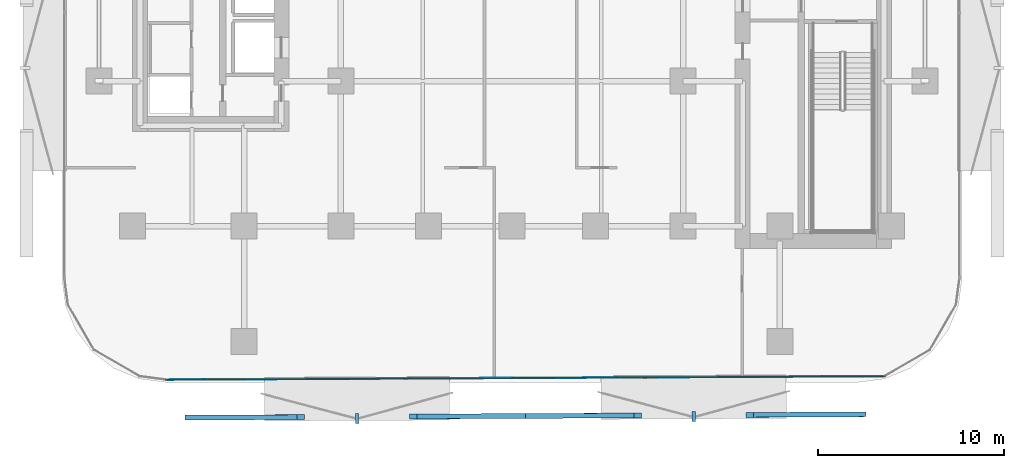
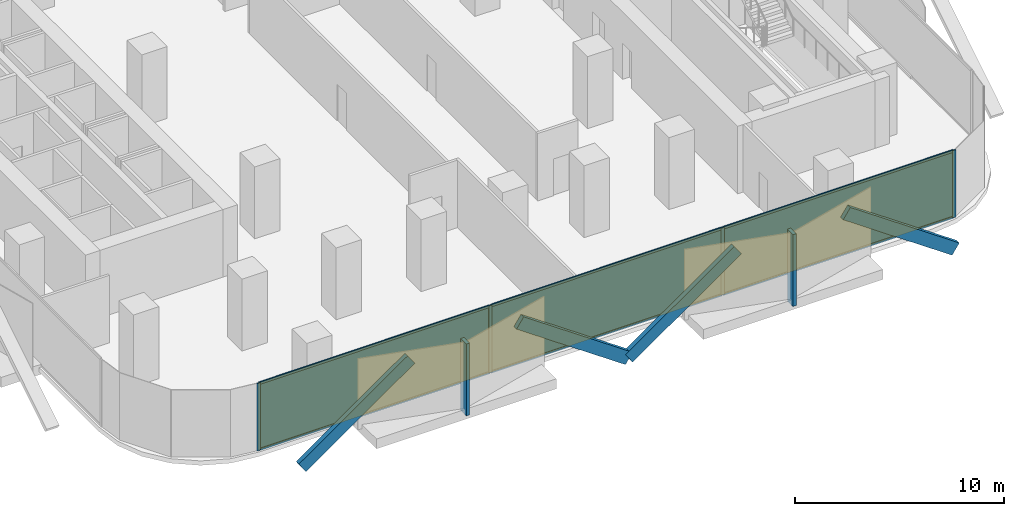
# One storey, part 6 of 14: 16 members, 3 plates, 1 curtain wall.
"""IFC4 building model written with IfcOpenShell, lengths in metres."""

from ifc_helpers import new_model, si_unit, direction, frame, frame_2d, origin, origin_2d, place, context, subcontext, project, spatial, rectangle, extrude, material, layer, layer_set, material_profile, profile_set, type_object, element, aggregate, save


model = new_model("IFC4")

# Units and contexts
model_context = context("Model", 3, precision=1e-05, world=origin(), true_north=direction((0.0, 1.0)))
body_context = subcontext(model_context, "Body", "Model", "MODEL_VIEW")
ifc_project = project(units=[si_unit("LENGTHUNIT", "METRE"), si_unit("AREAUNIT", "SQUARE_METRE"), si_unit("VOLUMEUNIT", "CUBIC_METRE"), si_unit("PLANEANGLEUNIT", "RADIAN"), si_unit("MASSUNIT", "GRAM", prefix="KILO")], contexts=[model_context])

# Member
ifc_material_1 = material(Name="Anodised Bronze Aluminium 6063-T6", Category="aluminium")
ifc_material_profile_1 = material_profile(ifc_material_1, rectangle(XDim=0.260009765625, YDim=0.699951171875, at=origin_2d()))
ifc_profile_set_1 = profile_set([ifc_material_profile_1], Name="Anodised Bronze Aluminium 6063-T6")
member_type_1 = type_object("IfcMemberType", Name="Bronze Diamond Solar-Screen Lattice Rib BDL-700", PredefinedType="MULLION", material=ifc_profile_set_1)
site_placement = place(None, origin())
building_placement = place(site_placement, origin())
storey_placement = place(building_placement, frame((0.0, 0.0, 63.800048828125)))
member_1_placement = place(storey_placement, frame((18.82275390625, -28.718505859375, -0.130126953125), z_axis=(-0.820728082462, -0.003984922917, 0.571305115544), x_axis=(-0.007647115257, 0.999962716599, -0.004010865356)))
member_1 = element("IfcMember", 1, at=member_1_placement, type_object=member_type_1, Name="L15 Bronze Diamond Solar Screen Lattice Rib 73A", PredefinedType="MULLION", context=body_context, shape_type="SweptSolid", body=[
    extrude(rectangle(XDim=0.260009765625, YDim=0.699951171875, at=origin_2d()), origin(), (0.0, 0.0, 1.0), 7.35205078125),
])

member_2_placement = place(storey_placement, frame((0.720947265625, -28.806396484375, -0.130126953125), z_axis=(0.820728082462, 0.003984922917, 0.571305115544), x_axis=(0.007647115257, -0.999962716599, -0.004010865356)))
member_2 = element("IfcMember", 2, at=member_2_placement, type_object=member_type_1, Name="L15 Bronze Diamond Solar Screen Lattice Rib 73B", PredefinedType="MULLION", context=body_context, shape_type="SweptSolid", body=[
    extrude(rectangle(XDim=0.260009765625, YDim=0.699951171875, at=origin_2d()), origin(), (0.0, 0.0, 1.0), 7.35205078125),
])

member_3_placement = place(storey_placement, frame((0.720947265625, -28.806396484375, -0.130126953125), z_axis=(-0.820728082462, -0.003984922917, 0.571305115544), x_axis=(-0.007647115257, 0.999962716599, -0.004010865356)))
member_3 = element("IfcMember", 3, at=member_3_placement, type_object=member_type_1, Name="L15 Bronze Diamond Solar Screen Lattice Rib 74A", PredefinedType="MULLION", context=body_context, shape_type="SweptSolid", body=[
    extrude(rectangle(XDim=0.260009765625, YDim=0.699951171875, at=origin_2d()), origin(), (0.0, 0.0, 1.0), 7.35205078125),
])

member_4_placement = place(storey_placement, frame((-17.380859375, -28.894287109375, -0.130126953125), z_axis=(0.820728082462, 0.003984922917, 0.571305115544), x_axis=(0.007647115257, -0.999962716599, -0.004010865356)))
member_4 = element("IfcMember", 4, at=member_4_placement, type_object=member_type_1, Name="L15 Bronze Diamond Solar Screen Lattice Rib 74B", PredefinedType="MULLION", context=body_context, shape_type="SweptSolid", body=[
    extrude(rectangle(XDim=0.260009765625, YDim=0.699951171875, at=origin_2d()), origin(), (0.0, 0.0, 1.0), 7.35205078125),
])

ifc_material_2 = material(Name="Anodised Bronze Aluminium 6063-T6", Category="aluminium")
ifc_material_profile_2 = material_profile(ifc_material_2, rectangle(XDim=0.179931640625, YDim=0.5400390625, at=origin_2d()))
ifc_profile_set_2 = profile_set([ifc_material_profile_2], Name="Anodised Bronze Aluminium 6063-T6")
member_type_2 = type_object("IfcMemberType", Name="Bronze Solar-Screen Vertical Fold Fin BSF-540", PredefinedType="MULLION", material=ifc_profile_set_2)
member_5_placement = place(storey_placement, frame((9.772216796875, -28.842529296875, -0.130126953125), z_axis=(0.0, 0.0, 1.0), x_axis=(-0.999988059021, -0.004886902454, 0.0)))
member_5 = element("IfcMember", 5, at=member_5_placement, type_object=member_type_2, Name="L15 Bronze Solar Screen Vertical Fin 73", PredefinedType="MULLION", context=body_context, shape_type="SweptSolid", body=[
    extrude(rectangle(XDim=0.179931640625, YDim=0.5400390625, at=origin_2d()), origin(), (0.0, 0.0, 1.0), 4.2001953125),
])

member_6_placement = place(storey_placement, frame((-8.32958984375, -28.930419921875, -0.130126953125), z_axis=(0.0, 0.0, 1.0), x_axis=(-0.999988059021, -0.004886902454, 0.0)))
member_6 = element("IfcMember", 6, at=member_6_placement, type_object=member_type_2, Name="L15 Bronze Solar Screen Vertical Fin 74", PredefinedType="MULLION", context=body_context, shape_type="SweptSolid", body=[
    extrude(rectangle(XDim=0.179931640625, YDim=0.5400390625, at=origin_2d()), origin(), (0.0, 0.0, 1.0), 4.2001953125),
])

ifc_material_3 = material(Name="Anodised Bronze Aluminium 6063-T6", Category="aluminium")
ifc_material_profile_3 = material_profile(ifc_material_3, rectangle(XDim=0.06494140625, YDim=0.179931640625, at=origin_2d()))
ifc_profile_set_3 = profile_set([ifc_material_profile_3], Name="Anodised Bronze Aluminium 6063-T6")
member_type_3 = type_object("IfcMemberType", Name="CW-Z1 Mullion 65x180", PredefinedType="MULLION", material=ifc_profile_set_3)
member_7_placement = place(storey_placement, frame((19.98046875, -26.6728515625, 0.0), z_axis=(0.0, 0.0, 1.0), x_axis=(0.004849219095, -0.999988242468, 0.0)))
member_7 = element("IfcMember", 7, at=member_7_placement, type_object=member_type_3, Name="CW-Z1 mullion 1", PredefinedType="MULLION", context=body_context, shape_type="SweptSolid", body=[
    extrude(rectangle(XDim=0.06494140625, YDim=0.179931640625, at=origin_2d()), origin(), (0.0, 0.0, 1.0), 3.93994140625),
])

member_8_placement = place(storey_placement, frame((7.14501953125, -26.735107421875, 0.0), z_axis=(0.0, 0.0, 1.0), x_axis=(0.004849219095, -0.999988242468, 0.0)))
member_8 = element("IfcMember", 8, at=member_8_placement, type_object=member_type_3, Name="CW-Z1 mullion 2", PredefinedType="MULLION", context=body_context, shape_type="SweptSolid", body=[
    extrude(rectangle(XDim=0.06494140625, YDim=0.179931640625, at=origin_2d()), origin(), (0.0, 0.0, 1.0), 3.93994140625),
])

member_9_placement = place(storey_placement, frame((-5.722900390625, -26.797607421875, 0.0), z_axis=(0.0, 0.0, 1.0), x_axis=(0.004849219095, -0.999988242468, 0.0)))
member_9 = element("IfcMember", 9, at=member_9_placement, type_object=member_type_3, Name="CW-Z1 mullion 3", PredefinedType="MULLION", context=body_context, shape_type="SweptSolid", body=[
    extrude(rectangle(XDim=0.06494140625, YDim=0.179931640625, at=origin_2d()), origin(), (0.0, 0.0, 1.0), 3.93994140625),
])

member_10_placement = place(storey_placement, frame((-18.558349609375, -26.85986328125, 0.0), z_axis=(0.0, 0.0, 1.0), x_axis=(0.004849219095, -0.999988242468, 0.0)))
member_10 = element("IfcMember", 10, at=member_10_placement, type_object=member_type_3, Name="CW-Z1 mullion 4", PredefinedType="MULLION", context=body_context, shape_type="SweptSolid", body=[
    extrude(rectangle(XDim=0.06494140625, YDim=0.179931640625, at=origin_2d()), origin(), (0.0, 0.0, 1.0), 3.93994140625),
])

ifc_material_4 = material(Name="Anodised Bronze Aluminium 6063-T6", Category="aluminium")
ifc_material_profile_4 = material_profile(ifc_material_4, rectangle(XDim=0.06494140625, YDim=0.139892578125, at=origin_2d()))
ifc_profile_set_4 = profile_set([ifc_material_profile_4], Name="Anodised Bronze Aluminium 6063-T6")
member_type_4 = type_object("IfcMemberType", Name="CW-Z1 Transom 65x140", PredefinedType="USERDEFINED", material=ifc_profile_set_4)
member_11_placement = place(storey_placement, frame((19.947998046875, -26.673095703125, 0.032470703125), z_axis=(-0.99998821055, -0.004855796541, 0.0), x_axis=(0.004855796541, -0.99998821055, 0.0)))
member_11 = element("IfcMember", 11, at=member_11_placement, type_object=member_type_4, Name="CW-Z1 transom 1.1", ObjectType="TRANSOM", PredefinedType="USERDEFINED", context=body_context, shape_type="SweptSolid", body=[
    extrude(rectangle(XDim=0.06494140625, YDim=0.139892578125, at=origin_2d()), origin(), (0.0, 0.0, 1.0), 12.770751953125),
])

member_12_placement = place(storey_placement, frame((19.947998046875, -26.673095703125, 3.907470703125), z_axis=(-0.99998821055, -0.004855796541, 0.0), x_axis=(0.004855796541, -0.99998821055, 0.0)))
member_12 = element("IfcMember", 12, at=member_12_placement, type_object=member_type_4, Name="CW-Z1 transom 1.2", ObjectType="TRANSOM", PredefinedType="USERDEFINED", context=body_context, shape_type="SweptSolid", body=[
    extrude(rectangle(XDim=0.06494140625, YDim=0.139892578125, at=origin_2d()), origin(), (0.0, 0.0, 1.0), 12.770751953125),
])

member_13_placement = place(storey_placement, frame((7.112548828125, -26.7353515625, 0.032470703125), z_axis=(-0.999988270274, -0.004843481639, 0.0), x_axis=(0.004843481639, -0.999988270274, 0.0)))
member_13 = element("IfcMember", 13, at=member_13_placement, type_object=member_type_4, Name="CW-Z1 transom 2.1", ObjectType="TRANSOM", PredefinedType="USERDEFINED", context=body_context, shape_type="SweptSolid", body=[
    extrude(rectangle(XDim=0.06494140625, YDim=0.139892578125, at=origin_2d()), origin(), (0.0, 0.0, 1.0), 12.80322265625),
])

member_14_placement = place(storey_placement, frame((7.112548828125, -26.7353515625, 3.907470703125), z_axis=(-0.999988270274, -0.004843481639, 0.0), x_axis=(0.004843481639, -0.999988270274, 0.0)))
member_14 = element("IfcMember", 14, at=member_14_placement, type_object=member_type_4, Name="CW-Z1 transom 2.2", ObjectType="TRANSOM", PredefinedType="USERDEFINED", context=body_context, shape_type="SweptSolid", body=[
    extrude(rectangle(XDim=0.06494140625, YDim=0.139892578125, at=origin_2d()), origin(), (0.0, 0.0, 1.0), 12.80322265625),
])

member_15_placement = place(storey_placement, frame((-5.75537109375, -26.7978515625, 0.032470703125), z_axis=(-0.999988303196, -0.00483667968, 0.0), x_axis=(0.00483667968, -0.999988303196, 0.0)))
member_15 = element("IfcMember", 15, at=member_15_placement, type_object=member_type_4, Name="CW-Z1 transom 3.1", ObjectType="TRANSOM", PredefinedType="USERDEFINED", context=body_context, shape_type="SweptSolid", body=[
    extrude(rectangle(XDim=0.06494140625, YDim=0.139892578125, at=origin_2d()), origin(), (0.0, 0.0, 1.0), 12.770751953125),
])

member_16_placement = place(storey_placement, frame((-5.75537109375, -26.7978515625, 3.907470703125), z_axis=(-0.999988303196, -0.00483667968, 0.0), x_axis=(0.00483667968, -0.999988303196, 0.0)))
member_16 = element("IfcMember", 16, at=member_16_placement, type_object=member_type_4, Name="CW-Z1 transom 3.2", ObjectType="TRANSOM", PredefinedType="USERDEFINED", context=body_context, shape_type="SweptSolid", body=[
    extrude(rectangle(XDim=0.06494140625, YDim=0.139892578125, at=origin_2d()), origin(), (0.0, 0.0, 1.0), 12.770751953125),
])

# Plate
ifc_material_5 = material(Name="Low-E Solar Control Laminated Glass", Category="glass")
ifc_layer_1 = layer(ifc_material_5, 0.028076171875, Name="Low-E Solar Control Laminated Glass")
ifc_layer_set_1 = layer_set([ifc_layer_1], Name="Low-E Solar Control Laminated Glass")
plate_type = type_object("IfcPlateType", Name="CW-Z1 Low-E Double Glazed Panel 28mm", PredefinedType="CURTAIN_PANEL", material=ifc_layer_set_1)
plate_1_placement = place(storey_placement, frame((13.562744140625, -26.7041015625, 0.06494140625), z_axis=(0.0, 0.0, 1.0), x_axis=(-0.999988242468, -0.004849219095, 0.0)))
plate_1 = element("IfcPlate", 17, at=plate_1_placement, type_object=plate_type, Name="CW-Z1 panel 1.1", PredefinedType="CURTAIN_PANEL", context=body_context, shape_type="SweptSolid", body=[
    extrude(rectangle(XDim=12.7705078125, YDim=0.028076171875, at=origin_2d()), origin(), (0.0, 0.0, 1.0), 3.81005859375),
])

plate_2_placement = place(storey_placement, frame((0.7109375, -26.766357421875, 0.06494140625), z_axis=(0.0, 0.0, 1.0), x_axis=(-0.999988242468, -0.004849219095, 0.0)))
plate_2 = element("IfcPlate", 18, at=plate_2_placement, type_object=plate_type, Name="CW-Z1 panel 2.1", PredefinedType="CURTAIN_PANEL", context=body_context, shape_type="SweptSolid", body=[
    extrude(rectangle(XDim=12.802978515625, YDim=0.028076171875, at=origin_2d()), origin(), (0.0, 0.0, 1.0), 3.81005859375),
])

plate_3_placement = place(storey_placement, frame((-12.140625, -26.82861328125, 0.06494140625), z_axis=(0.0, 0.0, 1.0), x_axis=(-0.999988242468, -0.004849219095, 0.0)))
plate_3 = element("IfcPlate", 19, at=plate_3_placement, type_object=plate_type, Name="CW-Z1 panel 3.1", PredefinedType="CURTAIN_PANEL", context=body_context, shape_type="SweptSolid", body=[
    extrude(rectangle(XDim=12.7705078125, YDim=0.028076171875, at=origin_2d()), origin(), (0.0, 0.0, 1.0), 3.81005859375),
])

# Site, building, storey
site = spatial("IfcSite", under=ifc_project, at=site_placement, CompositionType="ELEMENT")
building = spatial("IfcBuilding", under=site, at=building_placement, Name="Khairoan Windgate Tower", CompositionType="ELEMENT")
storey = spatial("IfcBuildingStorey", under=building, at=storey_placement, Name="L15", CompositionType="ELEMENT", Elevation=63.800048828125)

# Curtain wall
ifc_material_6 = material(Name="Anodised Bronze Aluminium 6063-T6", Category="aluminium")
ifc_layer_2 = layer(ifc_material_6, 0.179931640625, Name="Anodised Bronze Aluminium 6063-T6")
ifc_layer_set_2 = layer_set([ifc_layer_2], Name="Anodised Bronze Aluminium 6063-T6")
curtain_wall_type = type_object("IfcCurtainWallType", Name="Low-Rise Office Unitised Curtain Wall CW-Z1", PredefinedType="NOTDEFINED", material=ifc_layer_set_2)
curtain_wall_placement = place(storey_placement, frame((20.012939453125, -26.6728515625, 0.0), z_axis=(0.0, 0.0, 1.0), x_axis=(-0.999988235487, -0.004850658525, 0.0)))
curtain_wall = element("IfcCurtainWall", 20, at=curtain_wall_placement, inside=storey, type_object=curtain_wall_type, Name="L15 Unitised Curtain Wall 1", PredefinedType="NOTDEFINED", context=body_context, shape_type="SweptSolid", body=[
    extrude(rectangle(XDim=38.604248046875, YDim=0.010009765625, at=frame_2d((19.30224609375, 0.0))), origin(), (0.0, 0.0, 1.0), 3.93994140625),
])

aggregate(curtain_wall, [member_7, member_8, member_9, member_10, member_11, member_12, plate_1, member_13, member_14, plate_2, member_15, member_16, plate_3, member_1, member_2, member_5, member_3, member_4, member_6])

save(model, "model.ifc")
